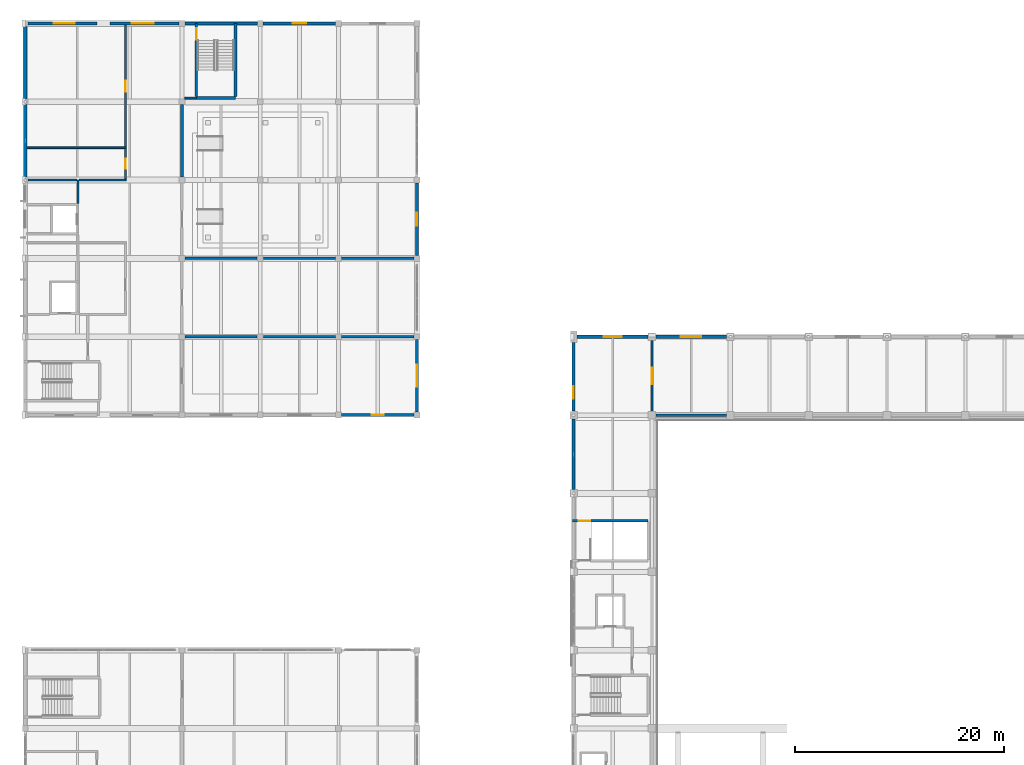
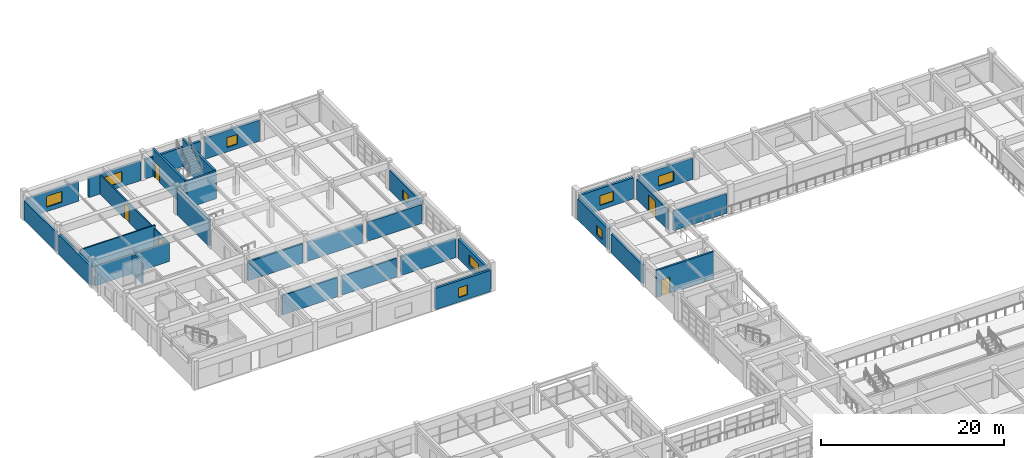
# One storey, part 80 of 101: 33 walls, 9 windows, 5 doors, 14 openings.
"""IFC4 building model written with IfcOpenShell, lengths in metres."""

from ifc_helpers import new_model, si_unit, direction, frame, frame_2d, origin, place, context, subcontext, project, spatial, rectangle, extrude, material, layer, layer_set, type_object, element, fill, save


model = new_model("IFC4")

# Units and contexts
model_context = context("Model", 3, precision=1e-05, world=origin(), true_north=direction((0.0, 1.0)))
body_context = subcontext(model_context, "Body", "Model", "MODEL_VIEW")
ifc_project = project(units=[si_unit("LENGTHUNIT", "METRE"), si_unit("AREAUNIT", "SQUARE_METRE"), si_unit("VOLUMEUNIT", "CUBIC_METRE"), si_unit("PLANEANGLEUNIT", "RADIAN"), si_unit("MASSUNIT", "GRAM", prefix="KILO")], contexts=[model_context])

# Site, building, storey
site_placement = place(None, origin())
site = spatial("IfcSite", under=ifc_project, at=site_placement, CompositionType="ELEMENT")
building_placement = place(site_placement, origin())
building = spatial("IfcBuilding", under=site, at=building_placement, Name="Qasida Concert Hall", CompositionType="ELEMENT")
storey_placement = place(building_placement, frame((0.0, 0.0, 13.199951171875)))
storey = spatial("IfcBuildingStorey", under=building, at=storey_placement, Name="L03", CompositionType="ELEMENT", Elevation=13.199951171875)

# Wall
ifc_material_1 = material(Name="Concrete C40/50", Category="concrete")
ifc_layer_1 = layer(ifc_material_1, 0.25, Name="Concrete C40/50")
ifc_layer_set_1 = layer_set([ifc_layer_1], Name="Concrete C40/50")
wall_type_1 = type_object("IfcWallType", Name="WL-CW-250", PredefinedType="SOLIDWALL", material=ifc_layer_set_1)
wall_1_placement = place(storey_placement, frame((16.3798828125, 105.35498046875, 0.0), z_axis=(0.0, 0.0, 1.0), x_axis=(1.0, 0.0, 0.0)))
element("IfcWall", 1, at=wall_1_placement, inside=storey, type_object=wall_type_1, Name="L03 ST-06 stairwell wall S", PredefinedType="SOLIDWALL", context=body_context, shape_type="SweptSolid", body=[
    extrude(rectangle(XDim=3.740234375, YDim=0.25, at=frame_2d((1.8701171875, 0.0))), origin(), (0.0, 0.0, 1.0), 3.6201171875),
])

# Wall, opening, door
wall_2_placement = place(storey_placement, frame((16.375, 105.47998046875, 0.0), z_axis=(0.0, 0.0, 1.0), x_axis=(0.0, 1.0, 0.0)))
wall_2 = element("IfcWall", 2, at=wall_2_placement, inside=storey, type_object=wall_type_1, Name="L03 ST-06 stairwell wall W", PredefinedType="SOLIDWALL", context=body_context, shape_type="SweptSolid", body=[
    extrude(rectangle(XDim=7.02001953125, YDim=0.25, at=frame_2d((3.510009765625, 0.0))), origin(), (0.0, 0.0, 1.0), 3.6201171875),
])
opening_1_placement = place(wall_2_placement, frame((5.469970703125, 0.0, 0.0)))
opening_1 = element("IfcOpeningElement", 3, at=opening_1_placement, cuts=wall_2, Name="Opening FD-110", PredefinedType="OPENING", context=body_context, shape_type="SweptSolid", body=[
    extrude(rectangle(XDim=1.10009765625, YDim=2.14990234375, at=frame_2d((0.550048828125, 1.074951171875))), frame((0.0, 0.135009765625, 0.0), z_axis=(0.0, -1.0, 0.0), x_axis=(1.0, 0.0, 0.0)), (0.0, 0.0, 1.0), 0.27001953125),
])
ifc_material_2 = material(Name="Steel fire-rated stair/lobby door set", Category="steel")
door_type_1 = type_object("IfcDoorType", Name="FD-110", OperationType="NOTDEFINED", PredefinedType="DOOR", material=ifc_material_2)
door_1_placement = place(opening_1_placement, origin())
door_1 = element("IfcDoor", 4, at=door_1_placement, inside=storey, type_object=door_type_1, Name="L03 ST-06 rated stair door", OperationType="SINGLE_SWING_RIGHT", OverallHeight=2.14990234375, OverallWidth=1.10009765625, PredefinedType="DOOR", context=body_context, shape_type="SweptSolid", body=[
    extrude(rectangle(XDim=1.10009765625, YDim=2.14990234375, at=frame_2d((0.550048828125, 1.074951171875))), frame((0.0, 0.02490234375, 0.0), z_axis=(0.0, -1.0, 0.0), x_axis=(1.0, 0.0, 0.0)), (0.0, 0.0, 1.0), 0.050048828125),
])
fill(opening_1, door_1)

# Wall
wall_3_placement = place(storey_placement, frame((20.125, 105.47998046875, 0.0), z_axis=(0.0, 0.0, 1.0), x_axis=(0.0, 1.0, 0.0)))
element("IfcWall", 5, at=wall_3_placement, inside=storey, type_object=wall_type_1, Name="L03 ST-06 stairwell wall E", PredefinedType="SOLIDWALL", context=body_context, shape_type="SweptSolid", body=[
    extrude(rectangle(XDim=7.02001953125, YDim=0.25, at=frame_2d((3.510009765625, 0.0))), origin(), (0.0, 0.0, 1.0), 3.6201171875),
])

# Wall, opening, door
wall_4_placement = place(storey_placement, frame((52.3798828125, 64.885009765625, 0.0), z_axis=(0.0, 0.0, 1.0), x_axis=(1.0, 0.0, 0.0)))
wall_4 = element("IfcWall", 6, at=wall_4_placement, inside=storey, type_object=wall_type_1, Name="L03 ST-11 stairwell wall N", PredefinedType="SOLIDWALL", context=body_context, shape_type="SweptSolid", body=[
    extrude(rectangle(XDim=7.260009765625, YDim=0.25, at=frame_2d((3.6298828125, 0.0))), origin(), (0.0, 0.0, 1.0), 3.6201171875),
])
opening_2_placement = place(wall_4_placement, frame((0.6201171875, 0.0, 0.0)))
opening_2 = element("IfcOpeningElement", 7, at=opening_2_placement, cuts=wall_4, Name="Opening FD-110", PredefinedType="OPENING", context=body_context, shape_type="SweptSolid", body=[
    extrude(rectangle(XDim=1.10009765625, YDim=2.14990234375, at=frame_2d((0.550048828125, 1.074951171875))), frame((0.0, 0.135009765625, 0.0), z_axis=(0.0, -1.0, 0.0), x_axis=(1.0, 0.0, 0.0)), (0.0, 0.0, 1.0), 0.27001953125),
])
door_2_placement = place(opening_2_placement, frame((1.10009765625, 0.0, 0.0), z_axis=(0.0, 0.0, 1.0), x_axis=(-1.0, 0.0, 0.0)))
door_2 = element("IfcDoor", 8, at=door_2_placement, inside=storey, type_object=door_type_1, Name="L03 ST-11 rated stair door", OperationType="SINGLE_SWING_RIGHT", OverallHeight=2.14990234375, OverallWidth=1.10009765625, PredefinedType="DOOR", context=body_context, shape_type="SweptSolid", body=[
    extrude(rectangle(XDim=1.10009765625, YDim=2.14990234375, at=frame_2d((0.550048828125, 1.074951171875))), frame((0.0, 0.02490234375, 0.0), z_axis=(0.0, -1.0, 0.0), x_axis=(1.0, 0.0, 0.0)), (0.0, 0.0, 1.0), 0.050048828125),
])
fill(opening_2, door_2)

# Wall, opening, window
ifc_material_3 = material(Name="Precast concrete C40/50", Category="concrete")
ifc_layer_2 = layer(ifc_material_3, 0.280029296875, Name="Precast concrete C40/50")
ifc_layer_set_2 = layer_set([ifc_layer_2], Name="Precast concrete C40/50")
wall_type_2 = type_object("IfcWallType", Name="WL-EW-280", PredefinedType="SOLIDWALL", material=ifc_layer_set_2)
wall_5_placement = place(storey_placement, frame((30.284912109375, 75.0, 0.0), z_axis=(0.0, 0.0, 1.0), x_axis=(1.0, 0.0, 0.0)))
wall_5 = element("IfcWall", 9, at=wall_5_placement, inside=storey, type_object=wall_type_2, Name="L03 exterior wall EW-280 0283", PredefinedType="SOLIDWALL", context=body_context, shape_type="SweptSolid", body=[
    extrude(rectangle(XDim=6.93017578125, YDim=0.280029296875, at=frame_2d((3.465087890625, 0.0))), origin(), (0.0, 0.0, 1.0), 2.840087890625),
])
opening_3_placement = place(wall_5_placement, frame((2.889892578125, 0.0, 0.60009765625)))
opening_3 = element("IfcOpeningElement", 10, at=opening_3_placement, cuts=wall_5, Name="Opening WN-09", PredefinedType="OPENING", context=body_context, shape_type="SweptSolid", body=[
    extrude(rectangle(XDim=1.14990234375, YDim=1.300048828125, at=frame_2d((0.574951171875, 0.64990234375))), frame((0.0, 0.14990234375, 0.0), z_axis=(0.0, -1.0, 0.0), x_axis=(1.0, 0.0, 0.0)), (0.0, 0.0, 1.0), 0.300048828125),
])
ifc_material_4 = material(Name="Bronze-anodized aluminium frame with acoustic low-E glazing", Category="aluminium")
window_type_1 = type_object("IfcWindowType", Name="WN-09", PartitioningType="SINGLE_PANEL", PredefinedType="WINDOW", material=ifc_material_4)
window_1_placement = place(opening_3_placement, origin())
window_1 = element("IfcWindow", 11, at=window_1_placement, inside=storey, type_object=window_type_1, Name="L03 window WN-09 0153", OverallHeight=1.300048828125, OverallWidth=1.14990234375, PartitioningType="SINGLE_PANEL", PredefinedType="WINDOW", context=body_context, shape_type="SweptSolid", body=[
    extrude(rectangle(XDim=1.14990234375, YDim=1.300048828125, at=frame_2d((0.574951171875, 0.64990234375))), frame((0.0, 0.030029296875, 0.0), z_axis=(0.0, -1.0, 0.0), x_axis=(1.0, 0.0, 0.0)), (0.0, 0.0, 1.0), 0.06005859375),
])
fill(opening_3, window_1)

# Wall
ifc_layer_3 = layer(ifc_material_3, 0.300048828125, Name="Precast concrete C40/50")
ifc_layer_set_3 = layer_set([ifc_layer_3], Name="Precast concrete C40/50")
wall_type_3 = type_object("IfcWallType", Name="WL-EW-300", PredefinedType="SOLIDWALL", material=ifc_layer_set_3)
wall_6_placement = place(storey_placement, frame((52.5, 67.875, 0.0), z_axis=(0.0, 0.0, 1.0), x_axis=(0.0, 1.0, 0.0)))
element("IfcWall", 12, at=wall_6_placement, inside=storey, type_object=wall_type_3, Name="L03 exterior wall EW-300 0068", PredefinedType="SOLIDWALL", context=body_context, shape_type="SweptSolid", body=[
    extrude(rectangle(XDim=6.75, YDim=0.300048828125, at=frame_2d((3.375, 0.0))), origin(), (0.0, 0.0, 1.0), 2.5400390625),
])

# Wall, opening, window
wall_7_placement = place(storey_placement, frame((52.5, 75.375, 0.0), z_axis=(0.0, 0.0, 1.0), x_axis=(0.0, 1.0, 0.0)))
wall_7 = element("IfcWall", 13, at=wall_7_placement, inside=storey, type_object=wall_type_3, Name="L03 exterior wall EW-300 0070", PredefinedType="SOLIDWALL", context=body_context, shape_type="SweptSolid", body=[
    extrude(rectangle(XDim=6.570068359375, YDim=0.300048828125, at=frame_2d((3.28515625, 0.0))), origin(), (0.0, 0.0, 1.0), 2.7900390625),
])
opening_4_placement = place(wall_7_placement, frame((1.2099609375, 0.0, 0.60009765625)))
opening_4 = element("IfcOpeningElement", 14, at=opening_4_placement, cuts=wall_7, Name="Opening WN-17", PredefinedType="OPENING", context=body_context, shape_type="SweptSolid", body=[
    extrude(rectangle(XDim=1.199951171875, YDim=1.199951171875, at=frame_2d((0.60009765625, 0.60009765625))), frame((0.0, 0.159912109375, 0.0), z_axis=(0.0, -1.0, 0.0), x_axis=(1.0, 0.0, 0.0)), (0.0, 0.0, 1.0), 0.320068359375),
])
window_type_2 = type_object("IfcWindowType", Name="WN-17", PartitioningType="SINGLE_PANEL", PredefinedType="WINDOW", material=ifc_material_4)
window_2_placement = place(opening_4_placement, origin())
window_2 = element("IfcWindow", 15, at=window_2_placement, inside=storey, type_object=window_type_2, Name="L03 window WN-17 0021", OverallHeight=1.199951171875, OverallWidth=1.199951171875, PartitioningType="SINGLE_PANEL", PredefinedType="WINDOW", context=body_context, shape_type="SweptSolid", body=[
    extrude(rectangle(XDim=1.199951171875, YDim=1.199951171875, at=frame_2d((0.60009765625, 0.60009765625))), frame((0.0, 0.030029296875, 0.0), z_axis=(0.0, -1.0, 0.0), x_axis=(1.0, 0.0, 0.0)), (0.0, 0.0, 1.0), 0.06005859375),
])
fill(opening_4, window_2)

wall_8_placement = place(storey_placement, frame((52.81494140625, 82.5, 0.0), z_axis=(0.0, 0.0, 1.0), x_axis=(1.0, 0.0, 0.0)))
wall_8 = element("IfcWall", 16, at=wall_8_placement, inside=storey, type_object=wall_type_3, Name="L03 exterior wall EW-300 0072", PredefinedType="SOLIDWALL", context=body_context, shape_type="SweptSolid", body=[
    extrude(rectangle(XDim=6.81005859375, YDim=0.300048828125, at=frame_2d((3.405029296875, 0.0))), origin(), (0.0, 0.0, 1.0), 2.840087890625),
])
opening_5_placement = place(wall_8_placement, frame((2.56005859375, 0.0, 0.60009765625)))
opening_5 = element("IfcOpeningElement", 17, at=opening_5_placement, cuts=wall_8, Name="Opening WN-13", PredefinedType="OPENING", context=body_context, shape_type="SweptSolid", body=[
    extrude(rectangle(XDim=1.75, YDim=1.300048828125, at=frame_2d((0.875, 0.64990234375))), frame((0.0, 0.159912109375, 0.0), z_axis=(0.0, -1.0, 0.0), x_axis=(1.0, 0.0, 0.0)), (0.0, 0.0, 1.0), 0.320068359375),
])
window_type_3 = type_object("IfcWindowType", Name="WN-13", PartitioningType="SINGLE_PANEL", PredefinedType="WINDOW", material=ifc_material_4)
window_3_placement = place(opening_5_placement, origin())
window_3 = element("IfcWindow", 18, at=window_3_placement, inside=storey, type_object=window_type_3, Name="L03 window WN-13 0023", OverallHeight=1.300048828125, OverallWidth=1.75, PartitioningType="SINGLE_PANEL", PredefinedType="WINDOW", context=body_context, shape_type="SweptSolid", body=[
    extrude(rectangle(XDim=1.75, YDim=1.300048828125, at=frame_2d((0.875, 0.64990234375))), frame((0.0, 0.030029296875, 0.0), z_axis=(0.0, -1.0, 0.0), x_axis=(1.0, 0.0, 0.0)), (0.0, 0.0, 1.0), 0.06005859375),
])
fill(opening_5, window_3)

wall_9_placement = place(storey_placement, frame((60.375, 82.5, 0.0), z_axis=(0.0, 0.0, 1.0), x_axis=(1.0, 0.0, 0.0)))
wall_9 = element("IfcWall", 19, at=wall_9_placement, inside=storey, type_object=wall_type_3, Name="L03 exterior wall EW-300 0073", PredefinedType="SOLIDWALL", context=body_context, shape_type="SweptSolid", body=[
    extrude(rectangle(XDim=6.75, YDim=0.300048828125, at=frame_2d((3.375, 0.0))), origin(), (0.0, 0.0, 1.0), 2.840087890625),
])
opening_6_placement = place(wall_9_placement, frame((2.39990234375, 0.0, 0.60009765625)))
opening_6 = element("IfcOpeningElement", 20, at=opening_6_placement, cuts=wall_9, Name="Opening WN-14", PredefinedType="OPENING", context=body_context, shape_type="SweptSolid", body=[
    extrude(rectangle(XDim=1.949951171875, YDim=1.300048828125, at=frame_2d((0.97509765625, 0.64990234375))), frame((0.0, 0.159912109375, 0.0), z_axis=(0.0, -1.0, 0.0), x_axis=(1.0, 0.0, 0.0)), (0.0, 0.0, 1.0), 0.320068359375),
])
window_type_4 = type_object("IfcWindowType", Name="WN-14", PartitioningType="SINGLE_PANEL", PredefinedType="WINDOW", material=ifc_material_4)
window_4_placement = place(opening_6_placement, origin())
window_4 = element("IfcWindow", 21, at=window_4_placement, inside=storey, type_object=window_type_4, Name="L03 window WN-14 0024", OverallHeight=1.300048828125, OverallWidth=1.949951171875, PartitioningType="SINGLE_PANEL", PredefinedType="WINDOW", context=body_context, shape_type="SweptSolid", body=[
    extrude(rectangle(XDim=1.949951171875, YDim=1.300048828125, at=frame_2d((0.97509765625, 0.64990234375))), frame((0.0, 0.030029296875, 0.0), z_axis=(0.0, -1.0, 0.0), x_axis=(1.0, 0.0, 0.0)), (0.0, 0.0, 1.0), 0.06005859375),
])
fill(opening_6, window_4)

wall_10_placement = place(storey_placement, frame((0.284912109375, 112.5, 0.0), z_axis=(0.0, 0.0, 1.0), x_axis=(1.0, 0.0, 0.0)))
wall_10 = element("IfcWall", 22, at=wall_10_placement, inside=storey, type_object=wall_type_3, Name="L03 exterior wall EW-300 0274", PredefinedType="SOLIDWALL", context=body_context, shape_type="SweptSolid", body=[
    extrude(rectangle(XDim=6.594970703125, YDim=0.300048828125, at=frame_2d((3.29736328125, 0.0))), origin(), (0.0, 0.0, 1.0), 2.590087890625),
])
opening_7_placement = place(wall_10_placement, frame((2.465087890625, 0.0, 0.60009765625)))
opening_7 = element("IfcOpeningElement", 23, at=opening_7_placement, cuts=wall_10, Name="Opening WN-07", PredefinedType="OPENING", context=body_context, shape_type="SweptSolid", body=[
    extrude(rectangle(XDim=2.0, YDim=1.449951171875, at=frame_2d((1.0, 0.72509765625))), frame((0.0, 0.159912109375, 0.0), z_axis=(0.0, -1.0, 0.0), x_axis=(1.0, 0.0, 0.0)), (0.0, 0.0, 1.0), 0.320068359375),
])
window_type_5 = type_object("IfcWindowType", Name="WN-07", PartitioningType="SINGLE_PANEL", PredefinedType="WINDOW", material=ifc_material_4)
window_5_placement = place(opening_7_placement, origin())
window_5 = element("IfcWindow", 24, at=window_5_placement, inside=storey, type_object=window_type_5, Name="L03 window WN-07 0145", OverallHeight=1.449951171875, OverallWidth=2.0, PartitioningType="SINGLE_PANEL", PredefinedType="WINDOW", context=body_context, shape_type="SweptSolid", body=[
    extrude(rectangle(XDim=2.0, YDim=1.449951171875, at=frame_2d((1.0, 0.72509765625))), frame((0.0, 0.030029296875, 0.0), z_axis=(0.0, -1.0, 0.0), x_axis=(1.0, 0.0, 0.0)), (0.0, 0.0, 1.0), 0.06005859375),
])
fill(opening_7, window_5)

wall_11_placement = place(storey_placement, frame((8.1201171875, 112.5, 0.0), z_axis=(0.0, 0.0, 1.0), x_axis=(1.0, 0.0, 0.0)))
wall_11 = element("IfcWall", 25, at=wall_11_placement, inside=storey, type_object=wall_type_3, Name="L03 exterior wall EW-300 0276", PredefinedType="SOLIDWALL", context=body_context, shape_type="SweptSolid", body=[
    extrude(rectangle(XDim=6.594970703125, YDim=0.300048828125, at=frame_2d((3.29736328125, 0.0))), origin(), (0.0, 0.0, 1.0), 2.590087890625),
])
opening_8_placement = place(wall_11_placement, frame((2.054931640625, 0.0, 0.60009765625)))
opening_8 = element("IfcOpeningElement", 26, at=opening_8_placement, cuts=wall_11, Name="Opening WN-08", PredefinedType="OPENING", context=body_context, shape_type="SweptSolid", body=[
    extrude(rectangle(XDim=2.14990234375, YDim=1.449951171875, at=frame_2d((1.074951171875, 0.72509765625))), frame((0.0, 0.159912109375, 0.0), z_axis=(0.0, -1.0, 0.0), x_axis=(1.0, 0.0, 0.0)), (0.0, 0.0, 1.0), 0.320068359375),
])
window_type_6 = type_object("IfcWindowType", Name="WN-08", PartitioningType="SINGLE_PANEL", PredefinedType="WINDOW", material=ifc_material_4)
window_6_placement = place(opening_8_placement, origin())
window_6 = element("IfcWindow", 27, at=window_6_placement, inside=storey, type_object=window_type_6, Name="L03 window WN-08 0147", OverallHeight=1.449951171875, OverallWidth=2.14990234375, PartitioningType="SINGLE_PANEL", PredefinedType="WINDOW", context=body_context, shape_type="SweptSolid", body=[
    extrude(rectangle(XDim=2.14990234375, YDim=1.449951171875, at=frame_2d((1.074951171875, 0.72509765625))), frame((0.0, 0.030029296875, 0.0), z_axis=(0.0, -1.0, 0.0), x_axis=(1.0, 0.0, 0.0)), (0.0, 0.0, 1.0), 0.06005859375),
])
fill(opening_8, window_6)

# Wall
wall_12_placement = place(storey_placement, frame((15.284912109375, 112.5, 0.0), z_axis=(0.0, 0.0, 1.0), x_axis=(1.0, 0.0, 0.0)))
element("IfcWall", 28, at=wall_12_placement, inside=storey, type_object=wall_type_3, Name="L03 exterior wall EW-300 0278", PredefinedType="SOLIDWALL", context=body_context, shape_type="SweptSolid", body=[
    extrude(rectangle(XDim=6.93017578125, YDim=0.300048828125, at=frame_2d((3.465087890625, 0.0))), origin(), (0.0, 0.0, 1.0), 2.590087890625),
])

# Wall, opening, window
wall_13_placement = place(storey_placement, frame((22.784912109375, 112.5, 0.0), z_axis=(0.0, 0.0, 1.0), x_axis=(1.0, 0.0, 0.0)))
wall_13 = element("IfcWall", 29, at=wall_13_placement, inside=storey, type_object=wall_type_3, Name="L03 exterior wall EW-300 0280", PredefinedType="SOLIDWALL", context=body_context, shape_type="SweptSolid", body=[
    extrude(rectangle(XDim=6.93017578125, YDim=0.300048828125, at=frame_2d((3.465087890625, 0.0))), origin(), (0.0, 0.0, 1.0), 2.840087890625),
])
opening_9_placement = place(wall_13_placement, frame((2.81494140625, 0.0, 0.60009765625)))
opening_9 = element("IfcOpeningElement", 30, at=opening_9_placement, cuts=wall_13, Name="Opening WN-10", PredefinedType="OPENING", context=body_context, shape_type="SweptSolid", body=[
    extrude(rectangle(XDim=1.300048828125, YDim=1.300048828125, at=frame_2d((0.64990234375, 0.64990234375))), frame((0.0, 0.159912109375, 0.0), z_axis=(0.0, -1.0, 0.0), x_axis=(1.0, 0.0, 0.0)), (0.0, 0.0, 1.0), 0.320068359375),
])
window_type_7 = type_object("IfcWindowType", Name="WN-10", PartitioningType="SINGLE_PANEL", PredefinedType="WINDOW", material=ifc_material_4)
window_7_placement = place(opening_9_placement, origin())
window_7 = element("IfcWindow", 31, at=window_7_placement, inside=storey, type_object=window_type_7, Name="L03 window WN-10 0150", OverallHeight=1.300048828125, OverallWidth=1.300048828125, PartitioningType="SINGLE_PANEL", PredefinedType="WINDOW", context=body_context, shape_type="SweptSolid", body=[
    extrude(rectangle(XDim=1.300048828125, YDim=1.300048828125, at=frame_2d((0.64990234375, 0.64990234375))), frame((0.0, 0.030029296875, 0.0), z_axis=(0.0, -1.0, 0.0), x_axis=(1.0, 0.0, 0.0)), (0.0, 0.0, 1.0), 0.06005859375),
])
fill(opening_9, window_7)

wall_14_placement = place(storey_placement, frame((37.5, 75.284912109375, 0.0), z_axis=(0.0, 0.0, 1.0), x_axis=(0.0, 1.0, 0.0)))
wall_14 = element("IfcWall", 32, at=wall_14_placement, inside=storey, type_object=wall_type_3, Name="L03 exterior wall EW-300 0285", PredefinedType="SOLIDWALL", context=body_context, shape_type="SweptSolid", body=[
    extrude(rectangle(XDim=6.93017578125, YDim=0.300048828125, at=frame_2d((3.465087890625, 0.0))), origin(), (0.0, 0.0, 1.0), 2.5400390625),
])
opening_10_placement = place(wall_14_placement, frame((2.4150390625, 0.0, 0.60009765625)))
opening_10 = element("IfcOpeningElement", 33, at=opening_10_placement, cuts=wall_14, Name="Opening WN-15", PredefinedType="OPENING", context=body_context, shape_type="SweptSolid", body=[
    extrude(rectangle(XDim=2.10009765625, YDim=1.300048828125, at=frame_2d((1.050048828125, 0.64990234375))), frame((0.0, 0.159912109375, 0.0), z_axis=(0.0, -1.0, 0.0), x_axis=(1.0, 0.0, 0.0)), (0.0, 0.0, 1.0), 0.320068359375),
])
window_type_8 = type_object("IfcWindowType", Name="WN-15", PartitioningType="SINGLE_PANEL", PredefinedType="WINDOW", material=ifc_material_4)
window_8_placement = place(opening_10_placement, origin())
window_8 = element("IfcWindow", 34, at=window_8_placement, inside=storey, type_object=window_type_8, Name="L03 window WN-15 0154", OverallHeight=1.300048828125, OverallWidth=2.10009765625, PartitioningType="SINGLE_PANEL", PredefinedType="WINDOW", context=body_context, shape_type="SweptSolid", body=[
    extrude(rectangle(XDim=2.10009765625, YDim=1.300048828125, at=frame_2d((1.050048828125, 0.64990234375))), frame((0.0, 0.030029296875, 0.0), z_axis=(0.0, -1.0, 0.0), x_axis=(1.0, 0.0, 0.0)), (0.0, 0.0, 1.0), 0.06005859375),
])
fill(opening_10, window_8)

wall_15_placement = place(storey_placement, frame((37.5, 90.284912109375, 0.0), z_axis=(0.0, 0.0, 1.0), x_axis=(0.0, 1.0, 0.0)))
wall_15 = element("IfcWall", 35, at=wall_15_placement, inside=storey, type_object=wall_type_3, Name="L03 exterior wall EW-300 0288", PredefinedType="SOLIDWALL", context=body_context, shape_type="SweptSolid", body=[
    extrude(rectangle(XDim=6.93017578125, YDim=0.300048828125, at=frame_2d((3.465087890625, 0.0))), origin(), (0.0, 0.0, 1.0), 2.64013671875),
])
opening_11_placement = place(wall_15_placement, frame((2.864990234375, 0.0, 0.60009765625)))
opening_11 = element("IfcOpeningElement", 36, at=opening_11_placement, cuts=wall_15, Name="Opening WN-17", PredefinedType="OPENING", context=body_context, shape_type="SweptSolid", body=[
    extrude(rectangle(XDim=1.199951171875, YDim=1.199951171875, at=frame_2d((0.60009765625, 0.60009765625))), frame((0.0, 0.159912109375, 0.0), z_axis=(0.0, -1.0, 0.0), x_axis=(1.0, 0.0, 0.0)), (0.0, 0.0, 1.0), 0.320068359375),
])
window_9_placement = place(opening_11_placement, origin())
window_9 = element("IfcWindow", 37, at=window_9_placement, inside=storey, type_object=window_type_2, Name="L03 window WN-17 0157", OverallHeight=1.199951171875, OverallWidth=1.199951171875, PartitioningType="SINGLE_PANEL", PredefinedType="WINDOW", context=body_context, shape_type="SweptSolid", body=[
    extrude(rectangle(XDim=1.199951171875, YDim=1.199951171875, at=frame_2d((0.60009765625, 0.60009765625))), frame((0.0, 0.030029296875, 0.0), z_axis=(0.0, -1.0, 0.0), x_axis=(1.0, 0.0, 0.0)), (0.0, 0.0, 1.0), 0.06005859375),
])
fill(opening_11, window_9)

# Walls
wall_16_placement = place(storey_placement, frame((0.0, 105.284912109375, 0.0), z_axis=(0.0, 0.0, 1.0), x_axis=(0.0, 1.0, 0.0)))
element("IfcWall", 38, at=wall_16_placement, inside=storey, type_object=wall_type_3, Name="L03 exterior wall EW-300 0290", PredefinedType="SOLIDWALL", context=body_context, shape_type="SweptSolid", body=[
    extrude(rectangle(XDim=6.93017578125, YDim=0.300048828125, at=frame_2d((3.465087890625, 0.0))), origin(), (0.0, 0.0, 1.0), 2.590087890625),
])
ifc_layer_4 = layer(ifc_material_3, 0.320068359375, Name="Precast concrete C40/50")
ifc_layer_set_4 = layer_set([ifc_layer_4], Name="Precast concrete C40/50")
wall_type_4 = type_object("IfcWallType", Name="WL-EW-320", PredefinedType="SOLIDWALL", material=ifc_layer_set_4)
wall_17_placement = place(storey_placement, frame((0.0, 97.784912109375, 0.0), z_axis=(0.0, 0.0, 1.0), x_axis=(0.0, 1.0, 0.0)))
element("IfcWall", 39, at=wall_17_placement, inside=storey, type_object=wall_type_4, Name="L03 exterior wall EW-320 0289", PredefinedType="SOLIDWALL", context=body_context, shape_type="SweptSolid", body=[
    extrude(rectangle(XDim=6.93017578125, YDim=0.320068359375, at=frame_2d((3.465087890625, 0.0))), origin(), (0.0, 0.0, 1.0), 2.590087890625),
])
ifc_material_5 = material(Name="Moisture-resistant gypsum partition", Category="gypsum")
ifc_layer_5 = layer(ifc_material_5, 0.159912109375, Name="Moisture-resistant gypsum partition")
ifc_layer_set_5 = layer_set([ifc_layer_5], Name="Moisture-resistant gypsum partition")
wall_type_5 = type_object("IfcWallType", Name="WL-PW-160", PredefinedType="PARTITIONING", material=ifc_layer_set_5)
wall_18_placement = place(storey_placement, frame((0.2890625, 97.5, 0.0), z_axis=(0.0, 0.0, 1.0), x_axis=(1.0, 0.0, 0.0)))
element("IfcWall", 40, at=wall_18_placement, inside=storey, type_object=wall_type_5, Name="L03 partition PW-160 0336", PredefinedType="PARTITIONING", context=body_context, shape_type="SweptSolid", body=[
    extrude(rectangle(XDim=4.656982421875, YDim=0.159912109375, at=frame_2d((2.32861328125, 0.0))), origin(), (0.0, 0.0, 1.0), 2.590087890625),
])
wall_19_placement = place(storey_placement, frame((5.154052734375, 97.5, 0.0), z_axis=(0.0, 0.0, 1.0), x_axis=(1.0, 0.0, 0.0)))
element("IfcWall", 41, at=wall_19_placement, inside=storey, type_object=wall_type_5, Name="L03 partition PW-160 0337", PredefinedType="PARTITIONING", context=body_context, shape_type="SweptSolid", body=[
    extrude(rectangle(XDim=4.52587890625, YDim=0.159912109375, at=frame_2d((2.262939453125, 0.0))), origin(), (0.0, 0.0, 1.0), 2.590087890625),
])
wall_20_placement = place(storey_placement, frame((0.174072265625, 100.60009765625, 0.0), z_axis=(0.0, 0.0, 1.0), x_axis=(1.0, 0.0, 0.0)))
element("IfcWall", 42, at=wall_20_placement, inside=storey, type_object=wall_type_5, Name="L03 partition PW-160 0338", PredefinedType="PARTITIONING", context=body_context, shape_type="SweptSolid", body=[
    extrude(rectangle(XDim=9.505859375, YDim=0.159912109375, at=frame_2d((4.7529296875, 0.0))), origin(), (0.0, 0.0, 1.0), 2.969970703125),
])

# Wall, opening, door
wall_21_placement = place(storey_placement, frame((9.60009765625, 97.593994140625, 0.0), z_axis=(0.0, 0.0, 1.0), x_axis=(0.0, 1.0, 0.0)))
wall_21 = element("IfcWall", 43, at=wall_21_placement, inside=storey, type_object=wall_type_5, Name="L03 partition PW-160 0339", PredefinedType="PARTITIONING", context=body_context, shape_type="SweptSolid", body=[
    extrude(rectangle(XDim=2.912109375, YDim=0.159912109375, at=frame_2d((1.4560546875, 0.0))), origin(), (0.0, 0.0, 1.0), 2.590087890625),
])
opening_12_placement = place(wall_21_placement, frame((0.98095703125, 0.0, 0.0)))
opening_12 = element("IfcOpeningElement", 44, at=opening_12_placement, cuts=wall_21, Name="Opening ID-095", PredefinedType="OPENING", context=body_context, shape_type="SweptSolid", body=[
    extrude(rectangle(XDim=0.949951171875, YDim=2.10009765625, at=frame_2d((0.47509765625, 1.050048828125))), frame((0.0, 0.08984375, 0.0), z_axis=(0.0, -1.0, 0.0), x_axis=(1.0, 0.0, 0.0)), (0.0, 0.0, 1.0), 0.179931640625),
])
ifc_material_6 = material(Name="Quarter-sawn oak accessible WC door", Category="wood")
door_type_2 = type_object("IfcDoorType", Name="ID-095", OperationType="NOTDEFINED", PredefinedType="DOOR", material=ifc_material_6)
door_3_placement = place(opening_12_placement, origin())
door_3 = element("IfcDoor", 45, at=door_3_placement, inside=storey, type_object=door_type_2, Name="L03 Conservatory accessible WC door", OperationType="SINGLE_SWING_RIGHT", OverallHeight=2.10009765625, OverallWidth=0.949951171875, PredefinedType="DOOR", context=body_context, shape_type="SweptSolid", body=[
    extrude(rectangle(XDim=0.949951171875, YDim=2.10009765625, at=frame_2d((0.47509765625, 1.050048828125))), frame((0.0, 0.02490234375, 0.0), z_axis=(0.0, -1.0, 0.0), x_axis=(1.0, 0.0, 0.0)), (0.0, 0.0, 1.0), 0.050048828125),
])
fill(opening_12, door_3)

wall_22_placement = place(storey_placement, frame((9.60009765625, 100.694091796875, 0.0), z_axis=(0.0, 0.0, 1.0), x_axis=(0.0, 1.0, 0.0)))
wall_22 = element("IfcWall", 46, at=wall_22_placement, inside=storey, type_object=wall_type_5, Name="L03 partition PW-160 0340", PredefinedType="PARTITIONING", context=body_context, shape_type="SweptSolid", body=[
    extrude(rectangle(XDim=11.641845703125, YDim=0.159912109375, at=frame_2d((5.82080078125, 0.0))), origin(), (0.0, 0.0, 1.0), 2.590087890625),
])
opening_13_placement = place(wall_22_placement, frame((5.281005859375, 0.0, 0.0)))
opening_13 = element("IfcOpeningElement", 47, at=opening_13_placement, cuts=wall_22, Name="Opening ID-105", PredefinedType="OPENING", context=body_context, shape_type="SweptSolid", body=[
    extrude(rectangle(XDim=1.050048828125, YDim=2.1201171875, at=frame_2d((0.52490234375, 1.06005859375))), frame((0.0, 0.08984375, 0.0), z_axis=(0.0, -1.0, 0.0), x_axis=(1.0, 0.0, 0.0)), (0.0, 0.0, 1.0), 0.179931640625),
])
ifc_material_7 = material(Name="Quarter-sawn oak practice studio door", Category="wood")
door_type_3 = type_object("IfcDoorType", Name="ID-105", OperationType="NOTDEFINED", PredefinedType="DOOR", material=ifc_material_7)
door_4_placement = place(opening_13_placement, origin())
door_4 = element("IfcDoor", 48, at=door_4_placement, inside=storey, type_object=door_type_3, Name="L03 Ensemble warmup room door", OperationType="SINGLE_SWING_LEFT", OverallHeight=2.1201171875, OverallWidth=1.050048828125, PredefinedType="DOOR", context=body_context, shape_type="SweptSolid", body=[
    extrude(rectangle(XDim=1.050048828125, YDim=2.1201171875, at=frame_2d((0.52490234375, 1.06005859375))), frame((0.0, 0.02490234375, 0.0), z_axis=(0.0, -1.0, 0.0), x_axis=(1.0, 0.0, 0.0)), (0.0, 0.0, 1.0), 0.050048828125),
])
fill(opening_13, door_4)

# Walls
ifc_material_8 = material(Name="Acoustic metal-stud gypsum partition", Category="gypsum")
ifc_layer_6 = layer(ifc_material_8, 0.179931640625, Name="Acoustic metal-stud gypsum partition")
ifc_layer_set_6 = layer_set([ifc_layer_6], Name="Acoustic metal-stud gypsum partition")
wall_type_6 = type_object("IfcWallType", Name="WL-PW-180", PredefinedType="PARTITIONING", material=ifc_layer_set_6)
wall_23_placement = place(storey_placement, frame((5.050048828125, 95.27392578125, 0.0), z_axis=(0.0, 0.0, 1.0), x_axis=(0.0, 1.0, 0.0)))
element("IfcWall", 49, at=wall_23_placement, inside=storey, type_object=wall_type_6, Name="L03 partition PW-180 0335", PredefinedType="PARTITIONING", context=body_context, shape_type="SweptSolid", body=[
    extrude(rectangle(XDim=2.22607421875, YDim=0.179931640625, at=frame_2d((1.113037109375, 0.0))), origin(), (0.0, 0.0, 1.0), 2.590087890625),
])
wall_24_placement = place(storey_placement, frame((15.2890625, 105.35009765625, 0.0), z_axis=(0.0, 0.0, 1.0), x_axis=(1.0, 0.0, 0.0)))
element("IfcWall", 50, at=wall_24_placement, inside=storey, type_object=wall_type_6, Name="L03 partition PW-180 0341", PredefinedType="PARTITIONING", context=body_context, shape_type="SweptSolid", body=[
    extrude(rectangle(XDim=1.0908203125, YDim=0.179931640625, at=frame_2d((0.54541015625, 0.0))), origin(), (0.0, 0.0, 1.0), 2.5400390625),
])

# Wall, opening, door
ifc_material_9 = material(Name="Acoustic gypsum block and mineral wool", Category="gypsum")
ifc_layer_7 = layer(ifc_material_9, 0.199951171875, Name="Acoustic gypsum block and mineral wool")
ifc_layer_set_7 = layer_set([ifc_layer_7], Name="Acoustic gypsum block and mineral wool")
wall_type_7 = type_object("IfcWallType", Name="WL-PW-200", PredefinedType="PARTITIONING", material=ifc_layer_set_7)
wall_25_placement = place(storey_placement, frame((60.0, 75.3740234375, 0.0), z_axis=(0.0, 0.0, 1.0), x_axis=(0.0, 1.0, 0.0)))
wall_25 = element("IfcWall", 51, at=wall_25_placement, inside=storey, type_object=wall_type_7, Name="L03 partition PW-200 0499", PredefinedType="PARTITIONING", context=body_context, shape_type="SweptSolid", body=[
    extrude(rectangle(XDim=6.751953125, YDim=0.199951171875, at=frame_2d((3.3759765625, 0.0))), origin(), (0.0, 0.0, 1.0), 2.68994140625),
])
opening_14_placement = place(wall_25_placement, frame((2.575927734375, 0.0, 0.0)))
opening_14 = element("IfcOpeningElement", 52, at=opening_14_placement, cuts=wall_25, Name="Opening FD-160", PredefinedType="OPENING", context=body_context, shape_type="SweptSolid", body=[
    extrude(rectangle(XDim=1.60009765625, YDim=2.14990234375, at=frame_2d((0.800048828125, 1.074951171875))), frame((0.0, 0.10986328125, 0.0), z_axis=(0.0, -1.0, 0.0), x_axis=(1.0, 0.0, 0.0)), (0.0, 0.0, 1.0), 0.219970703125),
])
ifc_material_10 = material(Name="Double-leaf acoustic fire door", Category="steel")
door_type_4 = type_object("IfcDoorType", Name="FD-160", OperationType="NOTDEFINED", PredefinedType="DOOR", material=ifc_material_10)
door_5_placement = place(opening_14_placement, origin())
door_5 = element("IfcDoor", 53, at=door_5_placement, inside=storey, type_object=door_type_4, Name="L03 L03 north gallery west fire door", OperationType="SINGLE_SWING_RIGHT", OverallHeight=2.14990234375, OverallWidth=1.60009765625, PredefinedType="DOOR", context=body_context, shape_type="SweptSolid", body=[
    extrude(rectangle(XDim=1.60009765625, YDim=2.14990234375, at=frame_2d((0.800048828125, 1.074951171875))), frame((0.0, 0.02490234375, 0.0), z_axis=(0.0, -1.0, 0.0), x_axis=(1.0, 0.0, 0.0)), (0.0, 0.0, 1.0), 0.050048828125),
])
fill(opening_14, door_5)

# Walls
ifc_material_11 = material(Name="Double-stud acoustic gypsum and mineral wool", Category="gypsum")
ifc_layer_8 = layer(ifc_material_11, 0.239990234375, Name="Double-stud acoustic gypsum and mineral wool")
ifc_layer_set_8 = layer_set([ifc_layer_8], Name="Double-stud acoustic gypsum and mineral wool")
wall_type_8 = type_object("IfcWallType", Name="WL-PW-240", PredefinedType="PARTITIONING", material=ifc_layer_set_8)
wall_26_placement = place(storey_placement, frame((15.2890625, 82.5, 0.0), z_axis=(0.0, 0.0, 1.0), x_axis=(1.0, 0.0, 0.0)))
element("IfcWall", 54, at=wall_26_placement, inside=storey, type_object=wall_type_8, Name="L03 partition PW-240 0342", PredefinedType="PARTITIONING", context=body_context, shape_type="SweptSolid", body=[
    extrude(rectangle(XDim=6.921875, YDim=0.239990234375, at=frame_2d((3.4609375, 0.0))), origin(), (0.0, 0.0, 1.0), 2.590087890625),
])
for number, where, z_axis, x_axis, name in (
    (55, (22.7890625, 82.5, 0.0), (0.0, 0.0, 1.0), (1.0, 0.0, 0.0), "L03 partition PW-240 0343"),
    (56, (30.2890625, 82.5, 0.0), (0.0, 0.0, 1.0), (1.0, 0.0, 0.0), "L03 partition PW-240 0344"),
    (57, (15.2890625, 90.0, 0.0), (0.0, 0.0, 1.0), (1.0, 0.0, 0.0), "L03 partition PW-240 0345"),
    (58, (22.7890625, 90.0, 0.0), (0.0, 0.0, 1.0), (1.0, 0.0, 0.0), "L03 partition PW-240 0346"),
    (59, (30.2890625, 90.0, 0.0), (0.0, 0.0, 1.0), (1.0, 0.0, 0.0), "L03 partition PW-240 0347"),
):
    element("IfcWall", number, at=place(storey_placement, frame(where, z_axis=z_axis, x_axis=x_axis)), inside=storey, type_object=wall_type_8, Name=name, PredefinedType="PARTITIONING", context=body_context, shape_type="SweptSolid", body=[
        extrude(rectangle(XDim=6.921875, YDim=0.239990234375, at=frame_2d((3.4609375, 0.0))), origin(), (0.0, 0.0, 1.0), 2.5400390625),
    ])
wall_27_placement = place(storey_placement, frame((60.3740234375, 75.0, 0.0), z_axis=(0.0, 0.0, 1.0), x_axis=(1.0, 0.0, 0.0)))
element("IfcWall", 60, at=wall_27_placement, inside=storey, type_object=wall_type_8, Name="L03 partition PW-240 0494", PredefinedType="PARTITIONING", context=body_context, shape_type="SweptSolid", body=[
    extrude(rectangle(XDim=6.751953125, YDim=0.239990234375, at=frame_2d((3.3759765625, 0.0))), origin(), (0.0, 0.0, 1.0), 2.64013671875),
])
ifc_layer_9 = layer(ifc_material_1, 0.280029296875, Name="Concrete C40/50")
ifc_layer_set_9 = layer_set([ifc_layer_9], Name="Concrete C40/50")
wall_type_9 = type_object("IfcWallType", Name="WL-SW-280", PredefinedType="SHEAR", material=ifc_layer_set_9)
wall_28_placement = place(storey_placement, frame((15.0, 97.77490234375, 0.0), z_axis=(0.0, 0.0, 1.0), x_axis=(0.0, 1.0, 0.0)))
element("IfcWall", 61, at=wall_28_placement, inside=storey, type_object=wall_type_9, Name="L03 V5 conservatory shear wall 0035", PredefinedType="SHEAR", context=body_context, shape_type="SweptSolid", body=[
    extrude(rectangle(XDim=6.9501953125, YDim=0.280029296875, at=frame_2d((3.47509765625, 0.0))), origin(), (0.0, 0.0, 1.0), 3.60009765625),
])

save(model, "model.ifc")
